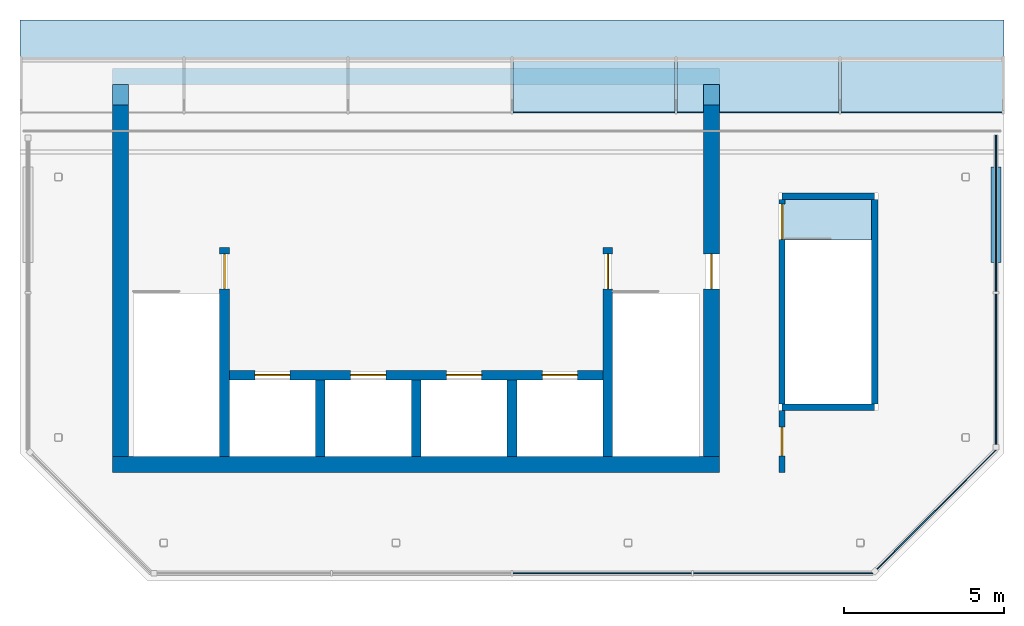
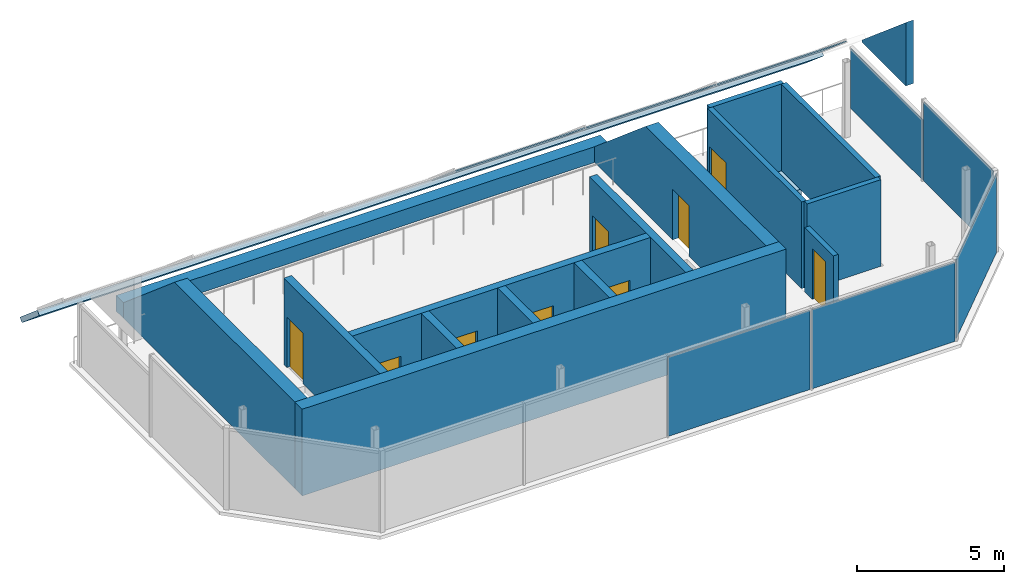
# One storey, part 2 of 3: 15 walls, 9 doors, 9 plates, 2 slabs, 9 openings, 4 elements without a shape of their own.
"""IFC4 building model written with IfcOpenShell, lengths in metres."""

from ifc_helpers import new_model, si_unit, direction, frame, frame_2d, origin, origin_2d, place, context, subcontext, project, spatial, polyline, rectangle, outline, extrude, material, layer, layer_set, type_object, element, fill, aggregate, save


model = new_model("IFC4")

# Units and contexts
model_context = context("Model", 3, precision=1e-05, world=origin(), true_north=direction((0.0, 1.0)))
body_context = subcontext(model_context, "Body", "Model", "MODEL_VIEW")
ifc_project = project(units=[si_unit("LENGTHUNIT", "METRE"), si_unit("AREAUNIT", "SQUARE_METRE"), si_unit("VOLUMEUNIT", "CUBIC_METRE"), si_unit("PLANEANGLEUNIT", "RADIAN"), si_unit("MASSUNIT", "GRAM", prefix="KILO")], contexts=[model_context])

# Site, building, storey
site_placement = place(None, origin())
site = spatial("IfcSite", under=ifc_project, at=site_placement, CompositionType="ELEMENT")
building_placement = place(site_placement, origin())
building = spatial("IfcBuilding", under=site, at=building_placement, Name="Tskaro Facet Tower", CompositionType="ELEMENT")
storey_placement = place(building_placement, frame((0.0, 0.0, 311.699951171875)))
storey = spatial("IfcBuildingStorey", under=building, at=storey_placement, Name="L84", CompositionType="ELEMENT", Elevation=311.699951171875)

# Plate
ifc_material_1 = material(Name="Bronze anodised aluminium cladding 5005-H34", Category="aluminium")
ifc_layer_1 = layer(ifc_material_1, 0.300048828125, Name="Bronze anodised aluminium cladding 5005-H34")
ifc_layer_set_1 = layer_set([ifc_layer_1], Name="Bronze anodised aluminium cladding 5005-H34")
plate_type_1 = type_object("IfcPlateType", Name="Crown cladding panel", PredefinedType="SHEET", material=ifc_layer_set_1)
plate_1_placement = place(storey_placement, frame((18.14990234375, -5.41845703125, 3.400146484375), z_axis=(0.0, 0.0, 1.0), x_axis=(0.0, 1.0, 0.0)))
element("IfcPlate", 1, at=plate_1_placement, inside=storey, type_object=plate_type_1, Name="Crown cladding panel east L84", PredefinedType="SHEET", context=body_context, shape_type="SweptSolid", body=[
    extrude(outline(polyline([(0.0, 0.0), (2.980224609375, 0.0), (2.980224609375, 0.099853515625), (0.0, 2.633056640625), (0.0, 0.0)])), frame((0.0, 0.14990234375, 0.0), z_axis=(0.0, -1.0, 0.0), x_axis=(1.0, 0.0, 0.0)), (0.0, 0.0, 1.0), 0.300048828125),
])

# Slab
ifc_layer_2 = layer(ifc_material_1, 0.199951171875, Name="Bronze anodised aluminium cladding 5005-H34")
ifc_layer_set_2 = layer_set([ifc_layer_2], Name="Bronze anodised aluminium cladding 5005-H34")
slab_type_1 = type_object("IfcSlabType", Name="Crown roof cladding panel", PredefinedType="ROOF", material=ifc_layer_set_2)
slab_1_placement = place(storey_placement, frame((18.39990234375, 0.9833984375, 0.854248046875), z_axis=(0.0, 0.647652983141, 0.761935439147), x_axis=(-1.0, 0.0, 0.0)))
element("IfcSlab", 2, at=slab_1_placement, inside=storey, type_object=slab_type_1, Name="Crown roof cladding 5", PredefinedType="ROOF", context=body_context, shape_type="SweptSolid", body=[
    extrude(outline(polyline([(0.0, 0.0), (30.7998046875, 0.0), (30.7998046875, -1.5530838291229987), (0.0, -1.5530838291229987), (0.0, 0.0)])), origin(), (0.0, 0.0, -1.0), 0.199951171875),
])

# Curtain wall, plates
ifc_material_2 = material(Name="Bronze anodised aluminium 6063-T6", Category="aluminium")
curtain_wall_type_1 = type_object("IfcCurtainWallType", Name="Bronze crown curtain wall (FW5)", PredefinedType="NOTDEFINED", material=ifc_material_2)
curtain_wall_1_placement = place(storey_placement, origin())
curtain_wall_1 = element("IfcCurtainWall", 3, at=curtain_wall_1_placement, inside=storey, type_object=curtain_wall_type_1, Name="FW5 south facet L84", PredefinedType="NOTDEFINED")
ifc_material_3 = material(Name="Bronze reflective glass", Category="glass")
ifc_layer_3 = layer(ifc_material_3, 0.033935546875, Name="Bronze reflective glass")
ifc_layer_set_3 = layer_set([ifc_layer_3], Name="Bronze reflective glass")
plate_type_2 = type_object("IfcPlateType", Name="FW5 bronze-tinted unit glazing 34", PredefinedType="CURTAIN_PANEL", material=ifc_layer_set_3)
plate_2_placement = place(storey_placement, frame((5.823974609375, -15.14990234375, 0.0), z_axis=(0.0, 0.0, 1.0), x_axis=(1.0, 0.0, 0.0)))
plate_2 = element("IfcPlate", 4, at=plate_2_placement, type_object=plate_type_2, Name="FW5 south glazing 3.1", PredefinedType="CURTAIN_PANEL", context=body_context, shape_type="SweptSolid", body=[
    extrude(rectangle(XDim=5.577880859375, YDim=0.033935546875, at=origin_2d()), origin(), (0.0, 0.0, 1.0), 3.2900390625),
])
plate_3_placement = place(storey_placement, frame((11.489501953125, -15.14990234375, 0.0), z_axis=(0.0, 0.0, 1.0), x_axis=(1.0, 0.0, 0.0)))
plate_3 = element("IfcPlate", 5, at=plate_3_placement, type_object=plate_type_2, Name="FW5 south glazing 4.1", PredefinedType="CURTAIN_PANEL", context=body_context, shape_type="SweptSolid", body=[
    extrude(rectangle(XDim=5.613037109375, YDim=0.033935546875, at=origin_2d()), origin(), (0.0, 0.0, 1.0), 3.2900390625),
])
aggregate(curtain_wall_1, [plate_2, plate_3])

# Curtain wall, plate
curtain_wall_2_placement = place(storey_placement, origin())
curtain_wall_2 = element("IfcCurtainWall", 6, at=curtain_wall_2_placement, inside=storey, type_object=curtain_wall_type_1, Name="FW5 south-east facet L84", PredefinedType="NOTDEFINED")
plate_4_placement = place(storey_placement, frame((16.28662109375, -13.159423828125, 0.0), z_axis=(0.0, 0.0, 1.0), x_axis=(0.707106781187, 0.707106781187, 0.0)))
plate_4 = element("IfcPlate", 7, at=plate_4_placement, type_object=plate_type_2, Name="FW5 south-east glazing 1.1", PredefinedType="CURTAIN_PANEL", context=body_context, shape_type="SweptSolid", body=[
    extrude(rectangle(XDim=5.270263671875, YDim=0.033935546875, at=origin_2d()), origin(), (0.0, 0.0, 1.0), 3.2900390625),
])
aggregate(curtain_wall_2, [plate_4])

# Curtain wall, plates
curtain_wall_3_placement = place(storey_placement, origin())
curtain_wall_3 = element("IfcCurtainWall", 8, at=curtain_wall_3_placement, inside=storey, type_object=curtain_wall_type_1, Name="FW5 east facet L84", PredefinedType="NOTDEFINED")
plate_5_placement = place(storey_placement, frame((18.14990234375, -8.759033203125, 0.0), z_axis=(0.0, 0.0, 1.0), x_axis=(0.0, 1.0, 0.0)))
plate_5 = element("IfcPlate", 9, at=plate_5_placement, type_object=plate_type_2, Name="FW5 east glazing 1.1", PredefinedType="CURTAIN_PANEL", context=body_context, shape_type="SweptSolid", body=[
    extrude(rectangle(XDim=4.714111328125, YDim=0.033935546875, at=origin_2d()), origin(), (0.0, 0.0, 1.0), 3.2900390625),
])
plate_6_placement = place(storey_placement, frame((18.14990234375, -3.885009765625, 0.0), z_axis=(0.0, 0.0, 1.0), x_axis=(0.0, 1.0, 0.0)))
plate_6 = element("IfcPlate", 10, at=plate_6_placement, type_object=plate_type_2, Name="FW5 east glazing 2.1", PredefinedType="CURTAIN_PANEL", context=body_context, shape_type="SweptSolid", body=[
    extrude(rectangle(XDim=4.89404296875, YDim=0.033935546875, at=origin_2d()), origin(), (0.0, 0.0, 1.0), 2.48974609375),
])
aggregate(curtain_wall_3, [plate_5, plate_6])

curtain_wall_type_2 = type_object("IfcCurtainWallType", Name="Bronze crown roof glazing (FW6)", PredefinedType="NOTDEFINED", material=ifc_material_2)
curtain_wall_4_placement = place(storey_placement, origin())
curtain_wall_4 = element("IfcCurtainWall", 11, at=curtain_wall_4_placement, inside=storey, type_object=curtain_wall_type_2, Name="FW6 roof glazing strip 4", PredefinedType="NOTDEFINED")
ifc_layer_4 = layer(ifc_material_3, 0.0400390625, Name="Bronze reflective glass")
ifc_layer_set_4 = layer_set([ifc_layer_4], Name="Bronze reflective glass")
plate_type_3 = type_object("IfcPlateType", Name="FW6 bronze-tinted unit glazing 40", PredefinedType="CURTAIN_PANEL", material=ifc_layer_set_4)
plate_7_placement = place(storey_placement, frame((3.030029296875, -0.716552734375, 2.29931640625), z_axis=(0.0, 0.647728982099, 0.76187083272), x_axis=(1.0, 0.0, 0.0)))
plate_7 = element("IfcPlate", 12, at=plate_7_placement, type_object=plate_type_3, Name="FW6 roof glazing 4.4", PredefinedType="CURTAIN_PANEL", context=body_context, shape_type="SweptSolid", body=[
    extrude(outline(polyline([(0.0, 0.0), (5.0732421875, 0.0), (5.0732421875, 2.1111169615951693), (0.0, 2.1111169615951693), (0.0, 0.0)])), origin(), (0.0, 0.0, -1.0), 0.0400390625),
])
plate_8_placement = place(storey_placement, frame((8.163330078125, -0.716552734375, 2.29931640625), z_axis=(0.0, 0.647728982099, 0.76187083272), x_axis=(1.0, 0.0, 0.0)))
plate_8 = element("IfcPlate", 13, at=plate_8_placement, type_object=plate_type_3, Name="FW6 roof glazing 4.5", PredefinedType="CURTAIN_PANEL", context=body_context, shape_type="SweptSolid", body=[
    extrude(outline(polyline([(0.0, 0.0), (5.0732421875, 0.0), (5.0732421875, 2.1111169615951693), (0.0, 2.1111169615951693), (0.0, 0.0)])), origin(), (0.0, 0.0, -1.0), 0.0400390625),
])
plate_9_placement = place(storey_placement, frame((13.296630859375, -0.716552734375, 2.29931640625), z_axis=(0.0, 0.647728982099, 0.76187083272), x_axis=(1.0, 0.0, 0.0)))
plate_9 = element("IfcPlate", 14, at=plate_9_placement, type_object=plate_type_3, Name="FW6 roof glazing 4.6", PredefinedType="CURTAIN_PANEL", context=body_context, shape_type="SweptSolid", body=[
    extrude(outline(polyline([(0.0, 0.0), (5.073486328125, 0.0), (5.073486328125, 2.1111169615951697), (0.0, 2.1111169615951697), (0.0, 0.0)])), origin(), (0.0, 0.0, -1.0), 0.0400390625),
])
aggregate(curtain_wall_4, [plate_7, plate_8, plate_9])

# Slab
ifc_material_4 = material(Name="Concrete C60/75", Category="concrete")
ifc_layer_5 = layer(ifc_material_4, 0.300048828125, Name="Concrete C60/75")
ifc_layer_set_5 = layer_set([ifc_layer_5], Name="Concrete C60/75")
slab_type_2 = type_object("IfcSlabType", Name="SLAB-CORE", PredefinedType="FLOOR", material=ifc_layer_set_5)
slab_2_placement = place(storey_placement, frame((0.0, 0.0, -0.300048828125)))
element("IfcSlab", 15, at=slab_2_placement, inside=storey, type_object=slab_type_2, Name="Stair 4 floor landing 1", PredefinedType="FLOOR", context=body_context, shape_type="SweptSolid", body=[
    extrude(outline(polyline([(11.5, -4.72509765625), (14.300048828125, -4.72509765625), (14.300048828125, -3.39990234375), (11.5, -3.39990234375), (11.5, -4.72509765625)])), origin(), (0.0, 0.0, 1.0), 0.300048828125),
])

# Wall, openings, doors
ifc_layer_6 = layer(ifc_material_4, 0.300048828125, Name="Concrete C60/75")
ifc_layer_set_6 = layer_set([ifc_layer_6], Name="Concrete C60/75")
wall_type_1 = type_object("IfcWallType", Name="CORE-SHAFT", PredefinedType="SHEAR", material=ifc_layer_set_6)
wall_1_placement = place(storey_placement, frame((-5.85009765625, -8.949951171875, 0.0), z_axis=(0.0, 0.0, 1.0), x_axis=(1.0, 0.0, 0.0)))
wall_1 = element("IfcWall", 16, at=wall_1_placement, inside=storey, type_object=wall_type_1, Name="Shaft wall W002", PredefinedType="SHEAR", context=body_context, shape_type="SweptSolid", body=[
    extrude(rectangle(XDim=11.7001953125, YDim=0.300048828125, at=frame_2d((5.85009765625, 0.0))), origin(), (0.0, 0.0, 1.0), 3.60009765625),
])
opening_1_placement = place(wall_1_placement, frame((0.800048828125, 0.0, 0.0)))
opening_1 = element("IfcOpeningElement", 17, at=opening_1_placement, cuts=wall_1, Name="Opening LD-FF1", PredefinedType="OPENING", context=body_context, shape_type="SweptSolid", body=[
    extrude(rectangle(XDim=1.10009765625, YDim=2.10009765625, at=frame_2d((0.550048828125, 1.050048828125))), frame((0.0, 0.159912109375, 0.0), z_axis=(0.0, -1.0, 0.0), x_axis=(1.0, 0.0, 0.0)), (0.0, 0.0, 1.0), 0.320068359375),
])
opening_2_placement = place(wall_1_placement, frame((3.800048828125, 0.0, 0.0)))
opening_2 = element("IfcOpeningElement", 18, at=opening_2_placement, cuts=wall_1, Name="Opening LD-FF2", PredefinedType="OPENING", context=body_context, shape_type="SweptSolid", body=[
    extrude(rectangle(XDim=1.10009765625, YDim=2.10009765625, at=frame_2d((0.550048828125, 1.050048828125))), frame((0.0, 0.159912109375, 0.0), z_axis=(0.0, -1.0, 0.0), x_axis=(1.0, 0.0, 0.0)), (0.0, 0.0, 1.0), 0.320068359375),
])
opening_3_placement = place(wall_1_placement, frame((6.800048828125, 0.0, 0.0)))
opening_3 = element("IfcOpeningElement", 19, at=opening_3_placement, cuts=wall_1, Name="Opening LD-SV1", PredefinedType="OPENING", context=body_context, shape_type="SweptSolid", body=[
    extrude(rectangle(XDim=1.10009765625, YDim=2.10009765625, at=frame_2d((0.550048828125, 1.050048828125))), frame((0.0, 0.159912109375, 0.0), z_axis=(0.0, -1.0, 0.0), x_axis=(1.0, 0.0, 0.0)), (0.0, 0.0, 1.0), 0.320068359375),
])
opening_4_placement = place(wall_1_placement, frame((9.800048828125, 0.0, 0.0)))
opening_4 = element("IfcOpeningElement", 20, at=opening_4_placement, cuts=wall_1, Name="Opening LD-SV2", PredefinedType="OPENING", context=body_context, shape_type="SweptSolid", body=[
    extrude(rectangle(XDim=1.10009765625, YDim=2.10009765625, at=frame_2d((0.550048828125, 1.050048828125))), frame((0.0, 0.159912109375, 0.0), z_axis=(0.0, -1.0, 0.0), x_axis=(1.0, 0.0, 0.0)), (0.0, 0.0, 1.0), 0.320068359375),
])
ifc_material_5 = material(Name="Stainless steel", Category="steel")
door_type_1 = type_object("IfcDoorType", Name="D-LANDING", OperationType="NOTDEFINED", PredefinedType="DOOR", material=ifc_material_5)
door_1_placement = place(opening_1_placement, origin())
door_1 = element("IfcDoor", 21, at=door_1_placement, inside=storey, type_object=door_type_1, Name="Landing door FF1", OperationType="DOUBLE_DOOR_SLIDING", OverallHeight=2.10009765625, OverallWidth=1.10009765625, PredefinedType="DOOR", context=body_context, shape_type="SweptSolid", body=[
    extrude(rectangle(XDim=1.10009765625, YDim=2.10009765625, at=frame_2d((0.550048828125, 1.050048828125))), frame((0.0, 0.02490234375, 0.0), z_axis=(0.0, -1.0, 0.0), x_axis=(1.0, 0.0, 0.0)), (0.0, 0.0, 1.0), 0.050048828125),
])
fill(opening_1, door_1)
door_2_placement = place(opening_2_placement, origin())
door_2 = element("IfcDoor", 22, at=door_2_placement, inside=storey, type_object=door_type_1, Name="Landing door FF2", OperationType="DOUBLE_DOOR_SLIDING", OverallHeight=2.10009765625, OverallWidth=1.10009765625, PredefinedType="DOOR", context=body_context, shape_type="SweptSolid", body=[
    extrude(rectangle(XDim=1.10009765625, YDim=2.10009765625, at=frame_2d((0.550048828125, 1.050048828125))), frame((0.0, 0.02490234375, 0.0), z_axis=(0.0, -1.0, 0.0), x_axis=(1.0, 0.0, 0.0)), (0.0, 0.0, 1.0), 0.050048828125),
])
fill(opening_2, door_2)
door_3_placement = place(opening_3_placement, origin())
door_3 = element("IfcDoor", 23, at=door_3_placement, inside=storey, type_object=door_type_1, Name="Landing door SV1", OperationType="DOUBLE_DOOR_SLIDING", OverallHeight=2.10009765625, OverallWidth=1.10009765625, PredefinedType="DOOR", context=body_context, shape_type="SweptSolid", body=[
    extrude(rectangle(XDim=1.10009765625, YDim=2.10009765625, at=frame_2d((0.550048828125, 1.050048828125))), frame((0.0, 0.02490234375, 0.0), z_axis=(0.0, -1.0, 0.0), x_axis=(1.0, 0.0, 0.0)), (0.0, 0.0, 1.0), 0.050048828125),
])
fill(opening_3, door_3)
door_4_placement = place(opening_4_placement, origin())
door_4 = element("IfcDoor", 24, at=door_4_placement, inside=storey, type_object=door_type_1, Name="Landing door SV2", OperationType="DOUBLE_DOOR_SLIDING", OverallHeight=2.10009765625, OverallWidth=1.10009765625, PredefinedType="DOOR", context=body_context, shape_type="SweptSolid", body=[
    extrude(rectangle(XDim=1.10009765625, YDim=2.10009765625, at=frame_2d((0.550048828125, 1.050048828125))), frame((0.0, 0.02490234375, 0.0), z_axis=(0.0, -1.0, 0.0), x_axis=(1.0, 0.0, 0.0)), (0.0, 0.0, 1.0), 0.050048828125),
])
fill(opening_4, door_4)

# Wall, opening, door
wall_2_placement = place(storey_placement, frame((-6.0, -11.5, 0.0), z_axis=(0.0, 0.0, 1.0), x_axis=(0.0, 1.0, 0.0)))
wall_2 = element("IfcWall", 25, at=wall_2_placement, inside=storey, type_object=wall_type_1, Name="Shaft wall W004", PredefinedType="SHEAR", context=body_context, shape_type="SweptSolid", body=[
    extrude(rectangle(XDim=6.550048828125, YDim=0.300048828125, at=frame_2d((3.27490234375, 0.0))), origin(), (0.0, 0.0, 1.0), 3.60009765625),
])
opening_5_placement = place(wall_2_placement, frame((5.25, 0.0, 0.0)))
opening_5 = element("IfcOpeningElement", 26, at=opening_5_placement, cuts=wall_2, Name="Opening ST-1-D1", PredefinedType="OPENING", context=body_context, shape_type="SweptSolid", body=[
    extrude(rectangle(XDim=1.10009765625, YDim=2.10009765625, at=frame_2d((0.550048828125, 1.050048828125))), frame((0.0, 0.159912109375, 0.0), z_axis=(0.0, -1.0, 0.0), x_axis=(1.0, 0.0, 0.0)), (0.0, 0.0, 1.0), 0.320068359375),
])
ifc_material_6 = material(Name="Steel", Category="steel")
door_type_2 = type_object("IfcDoorType", Name="D-STAIR", OperationType="NOTDEFINED", PredefinedType="DOOR", material=ifc_material_6)
door_5_placement = place(opening_5_placement, origin())
door_5 = element("IfcDoor", 27, at=door_5_placement, inside=storey, type_object=door_type_2, Name="Stair door 1", OperationType="SINGLE_SWING_LEFT", OverallHeight=2.10009765625, OverallWidth=1.10009765625, PredefinedType="DOOR", context=body_context, shape_type="SweptSolid", body=[
    extrude(rectangle(XDim=1.10009765625, YDim=2.10009765625, at=frame_2d((0.550048828125, 1.050048828125))), frame((0.0, 0.02490234375, 0.0), z_axis=(0.0, -1.0, 0.0), x_axis=(1.0, 0.0, 0.0)), (0.0, 0.0, 1.0), 0.050048828125),
])
fill(opening_5, door_5)

# Walls
for number, where, z_axis, x_axis, name in (
    (28, (-3.0, -11.5, 0.0), (0.0, 0.0, 1.0), (0.0, 1.0, 0.0), "Shaft wall W005"),
    (29, (0.0, -11.5, 0.0), (0.0, 0.0, 1.0), (0.0, 1.0, 0.0), "Shaft wall W006"),
    (30, (3.0, -11.5, 0.0), (0.0, 0.0, 1.0), (0.0, 1.0, 0.0), "Shaft wall W007"),
):
    element("IfcWall", number, at=place(storey_placement, frame(where, z_axis=z_axis, x_axis=x_axis)), inside=storey, type_object=wall_type_1, Name=name, PredefinedType="SHEAR", context=body_context, shape_type="SweptSolid", body=[
        extrude(rectangle(XDim=2.39990234375, YDim=0.300048828125, at=frame_2d((1.199951171875, 0.0))), origin(), (0.0, 0.0, 1.0), 3.60009765625),
    ])

# Wall, opening, door
wall_3_placement = place(storey_placement, frame((6.0, -4.949951171875, 0.0), z_axis=(0.0, 0.0, 1.0), x_axis=(0.0, -1.0, 0.0)))
wall_3 = element("IfcWall", 31, at=wall_3_placement, inside=storey, type_object=wall_type_1, Name="Shaft wall W008", PredefinedType="SHEAR", context=body_context, shape_type="SweptSolid", body=[
    extrude(rectangle(XDim=6.550048828125, YDim=0.300048828125, at=frame_2d((3.27490234375, 0.0))), origin(), (0.0, 0.0, 1.0), 3.60009765625),
])
opening_6_placement = place(wall_3_placement, frame((0.199951171875, 0.0, 0.0)))
opening_6 = element("IfcOpeningElement", 32, at=opening_6_placement, cuts=wall_3, Name="Opening ST-2-D1", PredefinedType="OPENING", context=body_context, shape_type="SweptSolid", body=[
    extrude(rectangle(XDim=1.10009765625, YDim=2.10009765625, at=frame_2d((0.550048828125, 1.050048828125))), frame((0.0, 0.159912109375, 0.0), z_axis=(0.0, -1.0, 0.0), x_axis=(1.0, 0.0, 0.0)), (0.0, 0.0, 1.0), 0.320068359375),
])
door_6_placement = place(opening_6_placement, origin())
door_6 = element("IfcDoor", 33, at=door_6_placement, inside=storey, type_object=door_type_2, Name="Stair door 2", OperationType="SINGLE_SWING_RIGHT", OverallHeight=2.10009765625, OverallWidth=1.10009765625, PredefinedType="DOOR", context=body_context, shape_type="SweptSolid", body=[
    extrude(rectangle(XDim=1.10009765625, YDim=2.10009765625, at=frame_2d((0.550048828125, 1.050048828125))), frame((0.0, 0.02490234375, 0.0), z_axis=(0.0, -1.0, 0.0), x_axis=(1.0, 0.0, 0.0)), (0.0, 0.0, 1.0), 0.050048828125),
])
fill(opening_6, door_6)

# Walls
ifc_material_7 = material(Name="Concrete C40/50", Category="concrete")
ifc_layer_7 = layer(ifc_material_7, 0.5, Name="Concrete C40/50")
ifc_layer_set_7 = layer_set([ifc_layer_7], Name="Concrete C40/50")
wall_type_2 = type_object("IfcWallType", Name="Core wall 500", PredefinedType="SHEAR", material=ifc_layer_set_7)
wall_4_placement = place(storey_placement, frame((-9.5, -11.75, 0.0), z_axis=(0.0, 0.0, 1.0), x_axis=(1.0, 0.0, 0.0)))
element("IfcWall", 34, at=wall_4_placement, inside=storey, type_object=wall_type_2, Name="Core wall CW-Z3S", PredefinedType="SHEAR", context=body_context, shape_type="SweptSolid", body=[
    extrude(outline(polyline([(0.0, 0.0), (19.0, 0.0), (19.0, 3.60009765625), (0.0, 3.60009765625), (0.0, 0.0)])), frame((0.0, 0.25, 0.0), z_axis=(0.0, -1.0, 0.0), x_axis=(1.0, 0.0, 0.0)), (0.0, 0.0, 1.0), 0.5),
])
wall_5_placement = place(storey_placement, frame((-9.5, 0.39990234375, 0.0), z_axis=(0.0, 0.0, 1.0), x_axis=(1.0, 0.0, 0.0)))
element("IfcWall", 35, at=wall_5_placement, inside=storey, type_object=wall_type_2, Name="Core wall CW-Z3N", PredefinedType="SHEAR", context=body_context, shape_type="SweptSolid", body=[
    extrude(outline(polyline([(0.0, 0.0), (19.0, 0.0), (19.0, 0.656982421875), (0.0, 0.656982421875), (0.0, 0.0)])), frame((0.0, 0.25, 0.0), z_axis=(0.0, -1.0, 0.0), x_axis=(1.0, 0.0, 0.0)), (0.0, 0.0, 1.0), 0.5),
])
wall_6_placement = place(storey_placement, frame((-9.25, -11.5, 0.0), z_axis=(0.0, 0.0, 1.0), x_axis=(0.0, 1.0, 0.0)))
element("IfcWall", 36, at=wall_6_placement, inside=storey, type_object=wall_type_2, Name="Core wall CW-Z3W", PredefinedType="SHEAR", context=body_context, shape_type="SweptSolid", body=[
    extrude(outline(polyline([(0.0, 0.0), (11.64990234375, 0.0), (11.64990234375, 0.656982421875), (8.1875, 3.60009765625), (0.0, 3.60009765625), (0.0, 0.0)])), frame((0.0, 0.25, 0.0), z_axis=(0.0, -1.0, 0.0), x_axis=(1.0, 0.0, 0.0)), (0.0, 0.0, 1.0), 0.5),
])

# Wall, opening, door
wall_7_placement = place(storey_placement, frame((9.25, -11.5, 0.0), z_axis=(0.0, 0.0, 1.0), x_axis=(0.0, 1.0, 0.0)))
wall_7 = element("IfcWall", 37, at=wall_7_placement, inside=storey, type_object=wall_type_2, Name="Core wall CW-Z3E", PredefinedType="SHEAR", context=body_context, shape_type="SweptSolid", body=[
    extrude(outline(polyline([(0.0, 0.0), (11.64990234375, 0.0), (11.64990234375, 0.656982421875), (8.1875, 3.60009765625), (0.0, 3.60009765625), (0.0, 0.0)])), frame((0.0, 0.25, 0.0), z_axis=(0.0, -1.0, 0.0), x_axis=(1.0, 0.0, 0.0)), (0.0, 0.0, 1.0), 0.5),
])
opening_7_placement = place(wall_7_placement, frame((5.25, 0.0, 0.0)))
opening_7 = element("IfcOpeningElement", 38, at=opening_7_placement, cuts=wall_7, Name="Opening ST-2-D3", PredefinedType="OPENING", context=body_context, shape_type="SweptSolid", body=[
    extrude(rectangle(XDim=1.10009765625, YDim=2.10009765625, at=frame_2d((0.550048828125, 1.050048828125))), frame((0.0, 0.260009765625, 0.0), z_axis=(0.0, -1.0, 0.0), x_axis=(1.0, 0.0, 0.0)), (0.0, 0.0, 1.0), 0.52001953125),
])
door_7_placement = place(opening_7_placement, origin())
door_7 = element("IfcDoor", 39, at=door_7_placement, inside=storey, type_object=door_type_2, Name="Stair door 2 corridor", OperationType="SINGLE_SWING_LEFT", OverallHeight=2.10009765625, OverallWidth=1.10009765625, PredefinedType="DOOR", context=body_context, shape_type="SweptSolid", body=[
    extrude(rectangle(XDim=1.10009765625, YDim=2.10009765625, at=frame_2d((0.550048828125, 1.050048828125))), frame((0.0, 0.02490234375, 0.0), z_axis=(0.0, -1.0, 0.0), x_axis=(1.0, 0.0, 0.0)), (0.0, 0.0, 1.0), 0.050048828125),
])
fill(opening_7, door_7)

# Walls
ifc_layer_8 = layer(ifc_material_4, 0.199951171875, Name="Concrete C60/75")
ifc_layer_set_8 = layer_set([ifc_layer_8], Name="Concrete C60/75")
wall_type_3 = type_object("IfcWallType", Name="STAIR-WALL", PredefinedType="SHEAR", material=ifc_layer_set_8)
for number, where, z_axis, x_axis, name in (
    (40, (11.449951171875, -9.949951171875, 0.0), (0.0, 0.0, 1.0), (1.0, 0.0, 0.0), "Stair wall W001"),
    (41, (11.449951171875, -3.35009765625, 0.0), (0.0, 0.0, 1.0), (1.0, 0.0, 0.0), "Stair wall W003"),
):
    element("IfcWall", number, at=place(storey_placement, frame(where, z_axis=z_axis, x_axis=x_axis)), inside=storey, type_object=wall_type_3, Name=name, PredefinedType="SHEAR", context=body_context, shape_type="SweptSolid", body=[
        extrude(rectangle(XDim=2.900146484375, YDim=0.199951171875, at=frame_2d((1.4501953125, 0.0))), origin(), (0.0, 0.0, 1.0), 3.60009765625),
    ])

# Wall, opening, door
wall_8_placement = place(storey_placement, frame((11.449951171875, -3.449951171875, 0.0), z_axis=(0.0, 0.0, 1.0), x_axis=(0.0, -1.0, 0.0)))
wall_8 = element("IfcWall", 42, at=wall_8_placement, inside=storey, type_object=wall_type_3, Name="Stair wall W010", PredefinedType="SHEAR", context=body_context, shape_type="SweptSolid", body=[
    extrude(rectangle(XDim=6.400146484375, YDim=0.199951171875, at=frame_2d((3.2001953125, 0.0))), origin(), (0.0, 0.0, 1.0), 3.60009765625),
])
opening_8_placement = place(wall_8_placement, frame((0.14990234375, 0.0, 0.0)))
opening_8 = element("IfcOpeningElement", 43, at=opening_8_placement, cuts=wall_8, Name="Opening ST-4-D1", PredefinedType="OPENING", context=body_context, shape_type="SweptSolid", body=[
    extrude(rectangle(XDim=1.10009765625, YDim=2.10009765625, at=frame_2d((0.550048828125, 1.050048828125))), frame((0.0, 0.10986328125, 0.0), z_axis=(0.0, -1.0, 0.0), x_axis=(1.0, 0.0, 0.0)), (0.0, 0.0, 1.0), 0.219970703125),
])
door_8_placement = place(opening_8_placement, origin())
door_8 = element("IfcDoor", 44, at=door_8_placement, inside=storey, type_object=door_type_2, Name="Stair door 4", OperationType="SINGLE_SWING_RIGHT", OverallHeight=2.10009765625, OverallWidth=1.10009765625, PredefinedType="DOOR", context=body_context, shape_type="SweptSolid", body=[
    extrude(rectangle(XDim=1.10009765625, YDim=2.10009765625, at=frame_2d((0.550048828125, 1.050048828125))), frame((0.0, 0.02490234375, 0.0), z_axis=(0.0, -1.0, 0.0), x_axis=(1.0, 0.0, 0.0)), (0.0, 0.0, 1.0), 0.050048828125),
])
fill(opening_8, door_8)

# Wall
wall_9_placement = place(storey_placement, frame((14.35009765625, -9.85009765625, 0.0), z_axis=(0.0, 0.0, 1.0), x_axis=(0.0, 1.0, 0.0)))
element("IfcWall", 45, at=wall_9_placement, inside=storey, type_object=wall_type_3, Name="Stair wall W011", PredefinedType="SHEAR", context=body_context, shape_type="SweptSolid", body=[
    extrude(rectangle(XDim=6.400146484375, YDim=0.199951171875, at=frame_2d((3.2001953125, 0.0))), origin(), (0.0, 0.0, 1.0), 3.60009765625),
])

# Wall, opening, door
ifc_material_8 = material(Name="Concrete C20/25", Category="concrete")
ifc_layer_9 = layer(ifc_material_8, 0.199951171875, Name="Concrete C20/25")
ifc_layer_set_9 = layer_set([ifc_layer_9], Name="Concrete C20/25")
wall_type_4 = type_object("IfcWallType", Name="WALL-RISER", PredefinedType="SOLIDWALL", material=ifc_layer_set_9)
wall_10_placement = place(storey_placement, frame((11.449951171875, -10.050048828125, 0.0), z_axis=(0.0, 0.0, 1.0), x_axis=(0.0, -1.0, 0.0)))
wall_10 = element("IfcWall", 46, at=wall_10_placement, inside=storey, type_object=wall_type_4, Name="Riser room wall W009", PredefinedType="SOLIDWALL", context=body_context, shape_type="SweptSolid", body=[
    extrude(rectangle(XDim=1.949951171875, YDim=0.199951171875, at=frame_2d((0.97509765625, 0.0))), origin(), (0.0, 0.0, 1.0), 2.66015625),
])
opening_9_placement = place(wall_10_placement, frame((0.52490234375, 0.0, 0.0)))
opening_9 = element("IfcOpeningElement", 47, at=opening_9_placement, cuts=wall_10, Name="Opening C84-D01", PredefinedType="OPENING", context=body_context, shape_type="SweptSolid", body=[
    extrude(rectangle(XDim=0.89990234375, YDim=2.10009765625, at=frame_2d((0.449951171875, 1.050048828125))), frame((0.0, 0.10986328125, 0.0), z_axis=(0.0, -1.0, 0.0), x_axis=(1.0, 0.0, 0.0)), (0.0, 0.0, 1.0), 0.219970703125),
])
door_type_3 = type_object("IfcDoorType", Name="D-RISER", OperationType="NOTDEFINED", PredefinedType="DOOR", material=ifc_material_6)
door_9_placement = place(opening_9_placement, origin())
door_9 = element("IfcDoor", 48, at=door_9_placement, inside=storey, type_object=door_type_3, Name="Door C84-D01", OperationType="SINGLE_SWING_RIGHT", OverallHeight=2.10009765625, OverallWidth=0.89990234375, PredefinedType="DOOR", context=body_context, shape_type="SweptSolid", body=[
    extrude(rectangle(XDim=0.89990234375, YDim=2.10009765625, at=frame_2d((0.449951171875, 1.050048828125))), frame((0.0, 0.02490234375, 0.0), z_axis=(0.0, -1.0, 0.0), x_axis=(1.0, 0.0, 0.0)), (0.0, 0.0, 1.0), 0.050048828125),
])
fill(opening_9, door_9)

save(model, "model.ifc")
